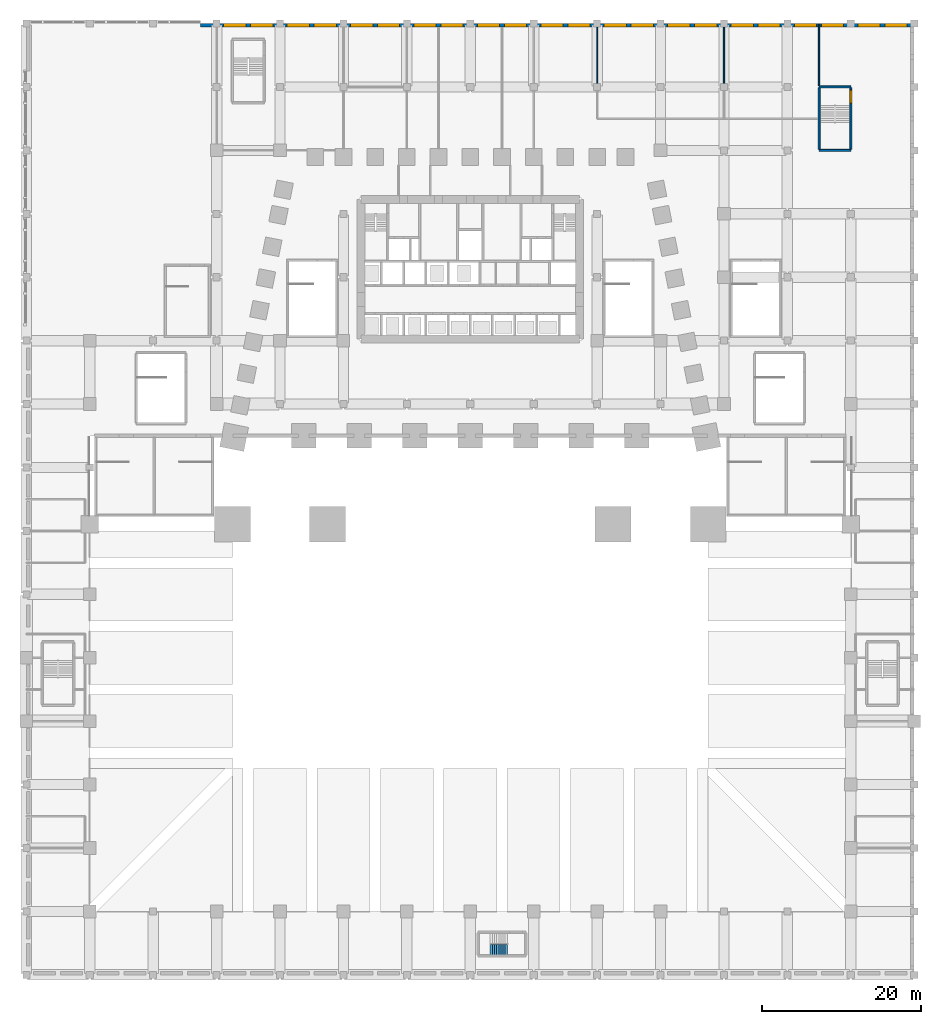
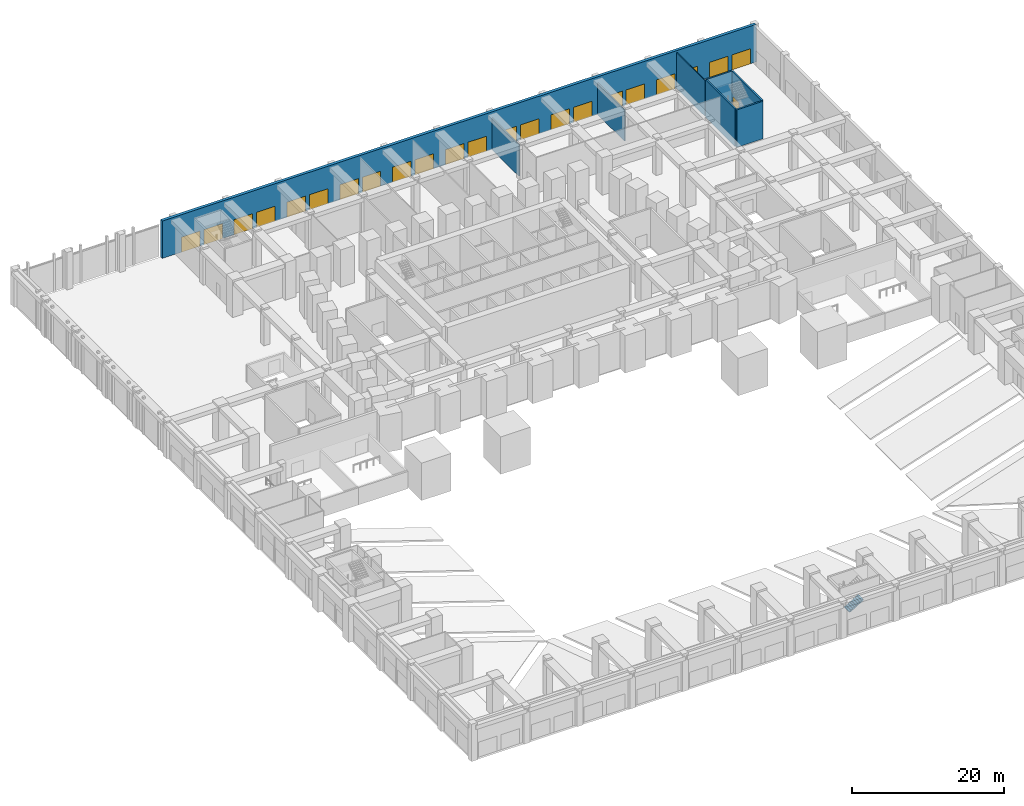
# One storey, part 15 of 28: 23 doors, 8 walls, 1 stair flight, 23 openings, 1 element without a shape of its own.
"""IFC4 building model written with IfcOpenShell, lengths in metres."""

from ifc_helpers import new_model, si_unit, direction, frame, frame_2d, origin, place, context, subcontext, project, spatial, polyline, rectangle, outline, extrude, material, layer, layer_set, type_object, element, fill, aggregate, save


model = new_model("IFC4")

# Units and contexts
model_context = context("Model", 3, precision=1e-05, world=origin(), true_north=direction((0.0, 1.0)))
body_context = subcontext(model_context, "Body", "Model", "MODEL_VIEW")
ifc_project = project(units=[si_unit("LENGTHUNIT", "METRE"), si_unit("AREAUNIT", "SQUARE_METRE"), si_unit("VOLUMEUNIT", "CUBIC_METRE"), si_unit("PLANEANGLEUNIT", "RADIAN"), si_unit("MASSUNIT", "GRAM", prefix="KILO")], contexts=[model_context])

# Site, building, storey
site_placement = place(None, origin())
site = spatial("IfcSite", under=ifc_project, at=site_placement, CompositionType="ELEMENT")
building_placement = place(site_placement, origin())
building = spatial("IfcBuilding", under=site, at=building_placement, Name="Isbrekke Arena Tower", CompositionType="ELEMENT")
storey_placement = place(building_placement, origin())
storey = spatial("IfcBuildingStorey", under=building, at=storey_placement, Name="L00", CompositionType="ELEMENT", Elevation=0.0)

# Wall, openings, doors
ifc_material_1 = material(Name="Pale brick facing on concrete backing wall", Category="masonry")
ifc_layer_1 = layer(ifc_material_1, 0.449951171875)
ifc_layer_set_1 = layer_set([ifc_layer_1], Name="EW1 PODIUM BRICK WALL 450")
wall_type_1 = type_object("IfcWallType", Name="EW1 PODIUM BRICK WALL 450", PredefinedType="SOLIDWALL", material=ifc_layer_set_1)
wall_1_placement = place(storey_placement, frame((56.0, 45.77490234375, 0.0), z_axis=(0.0, 0.0, 1.0), x_axis=(-1.0, 0.0, 0.0)))
wall_1 = element("IfcWall", 1, at=wall_1_placement, inside=storey, type_object=wall_type_1, Name="EW1 podium wall N1 L00", PredefinedType="SOLIDWALL", context=body_context, shape_type="SweptSolid", body=[
    extrude(rectangle(XDim=90.0, YDim=0.449951171875, at=frame_2d((45.0, 0.0))), origin(), (0.0, 0.0, 1.0), 6.0),
])
opening_1_placement = place(wall_1_placement, frame((0.89990234375, 0.0, 0.0)))
opening_1 = element("IfcOpeningElement", 2, at=opening_1_placement, cuts=wall_1, Name="Opening DE1", PredefinedType="OPENING", context=body_context, shape_type="SweptSolid", body=[
    extrude(rectangle(XDim=2.800048828125, YDim=2.39990234375, at=frame_2d((1.39990234375, 1.199951171875))), frame((0.0, 0.23974609375, 0.0), z_axis=(0.0, -1.0, 0.0), x_axis=(1.0, 0.0, 0.0)), (0.0, 0.0, 1.0), 0.479736328125),
])
opening_2_placement = place(wall_1_placement, frame((4.300048828125, 0.0, 0.0)))
opening_2 = element("IfcOpeningElement", 3, at=opening_2_placement, cuts=wall_1, Name="Opening DE1", PredefinedType="OPENING", context=body_context, shape_type="SweptSolid", body=[
    extrude(rectangle(XDim=2.800048828125, YDim=2.39990234375, at=frame_2d((1.39990234375, 1.199951171875))), frame((0.0, 0.23974609375, 0.0), z_axis=(0.0, -1.0, 0.0), x_axis=(1.0, 0.0, 0.0)), (0.0, 0.0, 1.0), 0.479736328125),
])
opening_3_placement = place(wall_1_placement, frame((8.89990234375, 0.0, 0.0)))
opening_3 = element("IfcOpeningElement", 4, at=opening_3_placement, cuts=wall_1, Name="Opening DE1", PredefinedType="OPENING", context=body_context, shape_type="SweptSolid", body=[
    extrude(rectangle(XDim=2.800048828125, YDim=2.39990234375, at=frame_2d((1.39990234375, 1.199951171875))), frame((0.0, 0.23974609375, 0.0), z_axis=(0.0, -1.0, 0.0), x_axis=(1.0, 0.0, 0.0)), (0.0, 0.0, 1.0), 0.479736328125),
])
opening_4_placement = place(wall_1_placement, frame((12.300048828125, 0.0, 0.0)))
opening_4 = element("IfcOpeningElement", 5, at=opening_4_placement, cuts=wall_1, Name="Opening DE1", PredefinedType="OPENING", context=body_context, shape_type="SweptSolid", body=[
    extrude(rectangle(XDim=2.800048828125, YDim=2.39990234375, at=frame_2d((1.39990234375, 1.199951171875))), frame((0.0, 0.23974609375, 0.0), z_axis=(0.0, -1.0, 0.0), x_axis=(1.0, 0.0, 0.0)), (0.0, 0.0, 1.0), 0.479736328125),
])
opening_5_placement = place(wall_1_placement, frame((16.89990234375, 0.0, 0.0)))
opening_5 = element("IfcOpeningElement", 6, at=opening_5_placement, cuts=wall_1, Name="Opening DE1", PredefinedType="OPENING", context=body_context, shape_type="SweptSolid", body=[
    extrude(rectangle(XDim=2.800048828125, YDim=2.39990234375, at=frame_2d((1.39990234375, 1.199951171875))), frame((0.0, 0.23974609375, 0.0), z_axis=(0.0, -1.0, 0.0), x_axis=(1.0, 0.0, 0.0)), (0.0, 0.0, 1.0), 0.479736328125),
])
opening_6_placement = place(wall_1_placement, frame((20.300048828125, 0.0, 0.0)))
opening_6 = element("IfcOpeningElement", 7, at=opening_6_placement, cuts=wall_1, Name="Opening DE1", PredefinedType="OPENING", context=body_context, shape_type="SweptSolid", body=[
    extrude(rectangle(XDim=2.800048828125, YDim=2.39990234375, at=frame_2d((1.39990234375, 1.199951171875))), frame((0.0, 0.23974609375, 0.0), z_axis=(0.0, -1.0, 0.0), x_axis=(1.0, 0.0, 0.0)), (0.0, 0.0, 1.0), 0.479736328125),
])
opening_7_placement = place(wall_1_placement, frame((24.89990234375, 0.0, 0.0)))
opening_7 = element("IfcOpeningElement", 8, at=opening_7_placement, cuts=wall_1, Name="Opening DE1", PredefinedType="OPENING", context=body_context, shape_type="SweptSolid", body=[
    extrude(rectangle(XDim=2.800048828125, YDim=2.39990234375, at=frame_2d((1.39990234375, 1.199951171875))), frame((0.0, 0.23974609375, 0.0), z_axis=(0.0, -1.0, 0.0), x_axis=(1.0, 0.0, 0.0)), (0.0, 0.0, 1.0), 0.479736328125),
])
opening_8_placement = place(wall_1_placement, frame((28.300048828125, 0.0, 0.0)))
opening_8 = element("IfcOpeningElement", 9, at=opening_8_placement, cuts=wall_1, Name="Opening DE1", PredefinedType="OPENING", context=body_context, shape_type="SweptSolid", body=[
    extrude(rectangle(XDim=2.800048828125, YDim=2.39990234375, at=frame_2d((1.39990234375, 1.199951171875))), frame((0.0, 0.23974609375, 0.0), z_axis=(0.0, -1.0, 0.0), x_axis=(1.0, 0.0, 0.0)), (0.0, 0.0, 1.0), 0.479736328125),
])
opening_9_placement = place(wall_1_placement, frame((32.89990234375, 0.0, 0.0)))
opening_9 = element("IfcOpeningElement", 10, at=opening_9_placement, cuts=wall_1, Name="Opening DE1", PredefinedType="OPENING", context=body_context, shape_type="SweptSolid", body=[
    extrude(rectangle(XDim=2.800048828125, YDim=2.39990234375, at=frame_2d((1.39990234375, 1.199951171875))), frame((0.0, 0.23974609375, 0.0), z_axis=(0.0, -1.0, 0.0), x_axis=(1.0, 0.0, 0.0)), (0.0, 0.0, 1.0), 0.479736328125),
])
opening_10_placement = place(wall_1_placement, frame((36.300048828125, 0.0, 0.0)))
opening_10 = element("IfcOpeningElement", 11, at=opening_10_placement, cuts=wall_1, Name="Opening DE1", PredefinedType="OPENING", context=body_context, shape_type="SweptSolid", body=[
    extrude(rectangle(XDim=2.800048828125, YDim=2.39990234375, at=frame_2d((1.39990234375, 1.199951171875))), frame((0.0, 0.23974609375, 0.0), z_axis=(0.0, -1.0, 0.0), x_axis=(1.0, 0.0, 0.0)), (0.0, 0.0, 1.0), 0.479736328125),
])
opening_11_placement = place(wall_1_placement, frame((40.89990234375, 0.0, 0.0)))
opening_11 = element("IfcOpeningElement", 12, at=opening_11_placement, cuts=wall_1, Name="Opening DE1", PredefinedType="OPENING", context=body_context, shape_type="SweptSolid", body=[
    extrude(rectangle(XDim=2.800048828125, YDim=2.39990234375, at=frame_2d((1.39990234375, 1.199951171875))), frame((0.0, 0.23974609375, 0.0), z_axis=(0.0, -1.0, 0.0), x_axis=(1.0, 0.0, 0.0)), (0.0, 0.0, 1.0), 0.479736328125),
])
opening_12_placement = place(wall_1_placement, frame((44.300048828125, 0.0, 0.0)))
opening_12 = element("IfcOpeningElement", 13, at=opening_12_placement, cuts=wall_1, Name="Opening DE1", PredefinedType="OPENING", context=body_context, shape_type="SweptSolid", body=[
    extrude(rectangle(XDim=2.800048828125, YDim=2.39990234375, at=frame_2d((1.39990234375, 1.199951171875))), frame((0.0, 0.23974609375, 0.0), z_axis=(0.0, -1.0, 0.0), x_axis=(1.0, 0.0, 0.0)), (0.0, 0.0, 1.0), 0.479736328125),
])
opening_13_placement = place(wall_1_placement, frame((48.89990234375, 0.0, 0.0)))
opening_13 = element("IfcOpeningElement", 14, at=opening_13_placement, cuts=wall_1, Name="Opening DE1", PredefinedType="OPENING", context=body_context, shape_type="SweptSolid", body=[
    extrude(rectangle(XDim=2.800048828125, YDim=2.39990234375, at=frame_2d((1.39990234375, 1.199951171875))), frame((0.0, 0.23974609375, 0.0), z_axis=(0.0, -1.0, 0.0), x_axis=(1.0, 0.0, 0.0)), (0.0, 0.0, 1.0), 0.479736328125),
])
opening_14_placement = place(wall_1_placement, frame((52.300048828125, 0.0, 0.0)))
opening_14 = element("IfcOpeningElement", 15, at=opening_14_placement, cuts=wall_1, Name="Opening DE1", PredefinedType="OPENING", context=body_context, shape_type="SweptSolid", body=[
    extrude(rectangle(XDim=2.800048828125, YDim=2.39990234375, at=frame_2d((1.39990234375, 1.199951171875))), frame((0.0, 0.23974609375, 0.0), z_axis=(0.0, -1.0, 0.0), x_axis=(1.0, 0.0, 0.0)), (0.0, 0.0, 1.0), 0.479736328125),
])
opening_15_placement = place(wall_1_placement, frame((56.89990234375, 0.0, 0.0)))
opening_15 = element("IfcOpeningElement", 16, at=opening_15_placement, cuts=wall_1, Name="Opening DE1", PredefinedType="OPENING", context=body_context, shape_type="SweptSolid", body=[
    extrude(rectangle(XDim=2.800048828125, YDim=2.39990234375, at=frame_2d((1.39990234375, 1.199951171875))), frame((0.0, 0.23974609375, 0.0), z_axis=(0.0, -1.0, 0.0), x_axis=(1.0, 0.0, 0.0)), (0.0, 0.0, 1.0), 0.479736328125),
])
opening_16_placement = place(wall_1_placement, frame((60.300048828125, 0.0, 0.0)))
opening_16 = element("IfcOpeningElement", 17, at=opening_16_placement, cuts=wall_1, Name="Opening DE1", PredefinedType="OPENING", context=body_context, shape_type="SweptSolid", body=[
    extrude(rectangle(XDim=2.800048828125, YDim=2.39990234375, at=frame_2d((1.39990234375, 1.199951171875))), frame((0.0, 0.23974609375, 0.0), z_axis=(0.0, -1.0, 0.0), x_axis=(1.0, 0.0, 0.0)), (0.0, 0.0, 1.0), 0.479736328125),
])
opening_17_placement = place(wall_1_placement, frame((64.89990234375, 0.0, 0.0)))
opening_17 = element("IfcOpeningElement", 18, at=opening_17_placement, cuts=wall_1, Name="Opening DE1", PredefinedType="OPENING", context=body_context, shape_type="SweptSolid", body=[
    extrude(rectangle(XDim=2.800048828125, YDim=2.39990234375, at=frame_2d((1.39990234375, 1.199951171875))), frame((0.0, 0.23974609375, 0.0), z_axis=(0.0, -1.0, 0.0), x_axis=(1.0, 0.0, 0.0)), (0.0, 0.0, 1.0), 0.479736328125),
])
opening_18_placement = place(wall_1_placement, frame((68.300048828125, 0.0, 0.0)))
opening_18 = element("IfcOpeningElement", 19, at=opening_18_placement, cuts=wall_1, Name="Opening DE1", PredefinedType="OPENING", context=body_context, shape_type="SweptSolid", body=[
    extrude(rectangle(XDim=2.800048828125, YDim=2.39990234375, at=frame_2d((1.39990234375, 1.199951171875))), frame((0.0, 0.23974609375, 0.0), z_axis=(0.0, -1.0, 0.0), x_axis=(1.0, 0.0, 0.0)), (0.0, 0.0, 1.0), 0.479736328125),
])
opening_19_placement = place(wall_1_placement, frame((72.89990234375, 0.0, 0.0)))
opening_19 = element("IfcOpeningElement", 20, at=opening_19_placement, cuts=wall_1, Name="Opening DE1", PredefinedType="OPENING", context=body_context, shape_type="SweptSolid", body=[
    extrude(rectangle(XDim=2.800048828125, YDim=2.39990234375, at=frame_2d((1.39990234375, 1.199951171875))), frame((0.0, 0.23974609375, 0.0), z_axis=(0.0, -1.0, 0.0), x_axis=(1.0, 0.0, 0.0)), (0.0, 0.0, 1.0), 0.479736328125),
])
opening_20_placement = place(wall_1_placement, frame((76.300048828125, 0.0, 0.0)))
opening_20 = element("IfcOpeningElement", 21, at=opening_20_placement, cuts=wall_1, Name="Opening DE1", PredefinedType="OPENING", context=body_context, shape_type="SweptSolid", body=[
    extrude(rectangle(XDim=2.800048828125, YDim=2.39990234375, at=frame_2d((1.39990234375, 1.199951171875))), frame((0.0, 0.23974609375, 0.0), z_axis=(0.0, -1.0, 0.0), x_axis=(1.0, 0.0, 0.0)), (0.0, 0.0, 1.0), 0.479736328125),
])
opening_21_placement = place(wall_1_placement, frame((80.89990234375, 0.0, 0.0)))
opening_21 = element("IfcOpeningElement", 22, at=opening_21_placement, cuts=wall_1, Name="Opening DE1", PredefinedType="OPENING", context=body_context, shape_type="SweptSolid", body=[
    extrude(rectangle(XDim=2.800048828125, YDim=2.39990234375, at=frame_2d((1.39990234375, 1.199951171875))), frame((0.0, 0.23974609375, 0.0), z_axis=(0.0, -1.0, 0.0), x_axis=(1.0, 0.0, 0.0)), (0.0, 0.0, 1.0), 0.479736328125),
])
opening_22_placement = place(wall_1_placement, frame((84.300048828125, 0.0, 0.0)))
opening_22 = element("IfcOpeningElement", 23, at=opening_22_placement, cuts=wall_1, Name="Opening DE1", PredefinedType="OPENING", context=body_context, shape_type="SweptSolid", body=[
    extrude(rectangle(XDim=2.800048828125, YDim=2.39990234375, at=frame_2d((1.39990234375, 1.199951171875))), frame((0.0, 0.23974609375, 0.0), z_axis=(0.0, -1.0, 0.0), x_axis=(1.0, 0.0, 0.0)), (0.0, 0.0, 1.0), 0.479736328125),
])
ifc_material_2 = material(Name="Steel-framed glazed double door", Category="steel")
door_type_1 = type_object("IfcDoorType", Name="DE1 EXIT DOOR 2800 x 2400", OperationType="DOUBLE_DOOR_SINGLE_SWING", PredefinedType="DOOR", material=ifc_material_2)
door_1_placement = place(opening_1_placement, frame((2.800048828125, 0.0, 0.0), z_axis=(0.0, 0.0, 1.0), x_axis=(-1.0, 0.0, 0.0)))
door_1 = element("IfcDoor", 24, at=door_1_placement, inside=storey, type_object=door_type_1, Name="DE1 exit door N1-1a", OperationType="DOUBLE_DOOR_SINGLE_SWING", OverallHeight=2.39990234375, OverallWidth=2.800048828125, PredefinedType="DOOR", context=body_context, shape_type="SweptSolid", body=[
    extrude(rectangle(XDim=2.800048828125, YDim=2.39990234375, at=frame_2d((1.39990234375, 1.199951171875))), frame((0.0, 0.224609375, 0.0), z_axis=(0.0, -1.0, 0.0), x_axis=(1.0, 0.0, 0.0)), (0.0, 0.0, 1.0), 0.449462890625),
])
fill(opening_1, door_1)
door_2_placement = place(opening_2_placement, frame((2.800048828125, 0.0, 0.0), z_axis=(0.0, 0.0, 1.0), x_axis=(-1.0, 0.0, 0.0)))
door_2 = element("IfcDoor", 25, at=door_2_placement, inside=storey, type_object=door_type_1, Name="DE1 exit door N1-1b", OperationType="DOUBLE_DOOR_SINGLE_SWING", OverallHeight=2.39990234375, OverallWidth=2.800048828125, PredefinedType="DOOR", context=body_context, shape_type="SweptSolid", body=[
    extrude(rectangle(XDim=2.800048828125, YDim=2.39990234375, at=frame_2d((1.39990234375, 1.199951171875))), frame((0.0, 0.224609375, 0.0), z_axis=(0.0, -1.0, 0.0), x_axis=(1.0, 0.0, 0.0)), (0.0, 0.0, 1.0), 0.449462890625),
])
fill(opening_2, door_2)
door_3_placement = place(opening_3_placement, frame((2.800048828125, 0.0, 0.0), z_axis=(0.0, 0.0, 1.0), x_axis=(-1.0, 0.0, 0.0)))
door_3 = element("IfcDoor", 26, at=door_3_placement, inside=storey, type_object=door_type_1, Name="DE1 exit door N1-2a", OperationType="DOUBLE_DOOR_SINGLE_SWING", OverallHeight=2.39990234375, OverallWidth=2.800048828125, PredefinedType="DOOR", context=body_context, shape_type="SweptSolid", body=[
    extrude(rectangle(XDim=2.800048828125, YDim=2.39990234375, at=frame_2d((1.39990234375, 1.199951171875))), frame((0.0, 0.224609375, 0.0), z_axis=(0.0, -1.0, 0.0), x_axis=(1.0, 0.0, 0.0)), (0.0, 0.0, 1.0), 0.449462890625),
])
fill(opening_3, door_3)
door_4_placement = place(opening_4_placement, frame((2.800048828125, 0.0, 0.0), z_axis=(0.0, 0.0, 1.0), x_axis=(-1.0, 0.0, 0.0)))
door_4 = element("IfcDoor", 27, at=door_4_placement, inside=storey, type_object=door_type_1, Name="DE1 exit door N1-2b", OperationType="DOUBLE_DOOR_SINGLE_SWING", OverallHeight=2.39990234375, OverallWidth=2.800048828125, PredefinedType="DOOR", context=body_context, shape_type="SweptSolid", body=[
    extrude(rectangle(XDim=2.800048828125, YDim=2.39990234375, at=frame_2d((1.39990234375, 1.199951171875))), frame((0.0, 0.224609375, 0.0), z_axis=(0.0, -1.0, 0.0), x_axis=(1.0, 0.0, 0.0)), (0.0, 0.0, 1.0), 0.449462890625),
])
fill(opening_4, door_4)
door_5_placement = place(opening_5_placement, frame((2.800048828125, 0.0, 0.0), z_axis=(0.0, 0.0, 1.0), x_axis=(-1.0, 0.0, 0.0)))
door_5 = element("IfcDoor", 28, at=door_5_placement, inside=storey, type_object=door_type_1, Name="DE1 exit door N1-3a", OperationType="DOUBLE_DOOR_SINGLE_SWING", OverallHeight=2.39990234375, OverallWidth=2.800048828125, PredefinedType="DOOR", context=body_context, shape_type="SweptSolid", body=[
    extrude(rectangle(XDim=2.800048828125, YDim=2.39990234375, at=frame_2d((1.39990234375, 1.199951171875))), frame((0.0, 0.224609375, 0.0), z_axis=(0.0, -1.0, 0.0), x_axis=(1.0, 0.0, 0.0)), (0.0, 0.0, 1.0), 0.449462890625),
])
fill(opening_5, door_5)
door_6_placement = place(opening_6_placement, frame((2.800048828125, 0.0, 0.0), z_axis=(0.0, 0.0, 1.0), x_axis=(-1.0, 0.0, 0.0)))
door_6 = element("IfcDoor", 29, at=door_6_placement, inside=storey, type_object=door_type_1, Name="DE1 exit door N1-3b", OperationType="DOUBLE_DOOR_SINGLE_SWING", OverallHeight=2.39990234375, OverallWidth=2.800048828125, PredefinedType="DOOR", context=body_context, shape_type="SweptSolid", body=[
    extrude(rectangle(XDim=2.800048828125, YDim=2.39990234375, at=frame_2d((1.39990234375, 1.199951171875))), frame((0.0, 0.224609375, 0.0), z_axis=(0.0, -1.0, 0.0), x_axis=(1.0, 0.0, 0.0)), (0.0, 0.0, 1.0), 0.449462890625),
])
fill(opening_6, door_6)
door_7_placement = place(opening_7_placement, frame((2.800048828125, 0.0, 0.0), z_axis=(0.0, 0.0, 1.0), x_axis=(-1.0, 0.0, 0.0)))
door_7 = element("IfcDoor", 30, at=door_7_placement, inside=storey, type_object=door_type_1, Name="DE1 exit door N1-4a", OperationType="DOUBLE_DOOR_SINGLE_SWING", OverallHeight=2.39990234375, OverallWidth=2.800048828125, PredefinedType="DOOR", context=body_context, shape_type="SweptSolid", body=[
    extrude(rectangle(XDim=2.800048828125, YDim=2.39990234375, at=frame_2d((1.39990234375, 1.199951171875))), frame((0.0, 0.224609375, 0.0), z_axis=(0.0, -1.0, 0.0), x_axis=(1.0, 0.0, 0.0)), (0.0, 0.0, 1.0), 0.449462890625),
])
fill(opening_7, door_7)
door_8_placement = place(opening_8_placement, frame((2.800048828125, 0.0, 0.0), z_axis=(0.0, 0.0, 1.0), x_axis=(-1.0, 0.0, 0.0)))
door_8 = element("IfcDoor", 31, at=door_8_placement, inside=storey, type_object=door_type_1, Name="DE1 exit door N1-4b", OperationType="DOUBLE_DOOR_SINGLE_SWING", OverallHeight=2.39990234375, OverallWidth=2.800048828125, PredefinedType="DOOR", context=body_context, shape_type="SweptSolid", body=[
    extrude(rectangle(XDim=2.800048828125, YDim=2.39990234375, at=frame_2d((1.39990234375, 1.199951171875))), frame((0.0, 0.224609375, 0.0), z_axis=(0.0, -1.0, 0.0), x_axis=(1.0, 0.0, 0.0)), (0.0, 0.0, 1.0), 0.449462890625),
])
fill(opening_8, door_8)
door_9_placement = place(opening_9_placement, frame((2.800048828125, 0.0, 0.0), z_axis=(0.0, 0.0, 1.0), x_axis=(-1.0, 0.0, 0.0)))
door_9 = element("IfcDoor", 32, at=door_9_placement, inside=storey, type_object=door_type_1, Name="DE1 exit door N1-5a", OperationType="DOUBLE_DOOR_SINGLE_SWING", OverallHeight=2.39990234375, OverallWidth=2.800048828125, PredefinedType="DOOR", context=body_context, shape_type="SweptSolid", body=[
    extrude(rectangle(XDim=2.800048828125, YDim=2.39990234375, at=frame_2d((1.39990234375, 1.199951171875))), frame((0.0, 0.224609375, 0.0), z_axis=(0.0, -1.0, 0.0), x_axis=(1.0, 0.0, 0.0)), (0.0, 0.0, 1.0), 0.449462890625),
])
fill(opening_9, door_9)
door_10_placement = place(opening_10_placement, frame((2.800048828125, 0.0, 0.0), z_axis=(0.0, 0.0, 1.0), x_axis=(-1.0, 0.0, 0.0)))
door_10 = element("IfcDoor", 33, at=door_10_placement, inside=storey, type_object=door_type_1, Name="DE1 exit door N1-5b", OperationType="DOUBLE_DOOR_SINGLE_SWING", OverallHeight=2.39990234375, OverallWidth=2.800048828125, PredefinedType="DOOR", context=body_context, shape_type="SweptSolid", body=[
    extrude(rectangle(XDim=2.800048828125, YDim=2.39990234375, at=frame_2d((1.39990234375, 1.199951171875))), frame((0.0, 0.224609375, 0.0), z_axis=(0.0, -1.0, 0.0), x_axis=(1.0, 0.0, 0.0)), (0.0, 0.0, 1.0), 0.449462890625),
])
fill(opening_10, door_10)
door_11_placement = place(opening_11_placement, frame((2.800048828125, 0.0, 0.0), z_axis=(0.0, 0.0, 1.0), x_axis=(-1.0, 0.0, 0.0)))
door_11 = element("IfcDoor", 34, at=door_11_placement, inside=storey, type_object=door_type_1, Name="DE1 exit door N1-6a", OperationType="DOUBLE_DOOR_SINGLE_SWING", OverallHeight=2.39990234375, OverallWidth=2.800048828125, PredefinedType="DOOR", context=body_context, shape_type="SweptSolid", body=[
    extrude(rectangle(XDim=2.800048828125, YDim=2.39990234375, at=frame_2d((1.39990234375, 1.199951171875))), frame((0.0, 0.224609375, 0.0), z_axis=(0.0, -1.0, 0.0), x_axis=(1.0, 0.0, 0.0)), (0.0, 0.0, 1.0), 0.449462890625),
])
fill(opening_11, door_11)
door_12_placement = place(opening_12_placement, frame((2.800048828125, 0.0, 0.0), z_axis=(0.0, 0.0, 1.0), x_axis=(-1.0, 0.0, 0.0)))
door_12 = element("IfcDoor", 35, at=door_12_placement, inside=storey, type_object=door_type_1, Name="DE1 exit door N1-6b", OperationType="DOUBLE_DOOR_SINGLE_SWING", OverallHeight=2.39990234375, OverallWidth=2.800048828125, PredefinedType="DOOR", context=body_context, shape_type="SweptSolid", body=[
    extrude(rectangle(XDim=2.800048828125, YDim=2.39990234375, at=frame_2d((1.39990234375, 1.199951171875))), frame((0.0, 0.224609375, 0.0), z_axis=(0.0, -1.0, 0.0), x_axis=(1.0, 0.0, 0.0)), (0.0, 0.0, 1.0), 0.449462890625),
])
fill(opening_12, door_12)
door_13_placement = place(opening_13_placement, frame((2.800048828125, 0.0, 0.0), z_axis=(0.0, 0.0, 1.0), x_axis=(-1.0, 0.0, 0.0)))
door_13 = element("IfcDoor", 36, at=door_13_placement, inside=storey, type_object=door_type_1, Name="DE1 exit door N1-7a", OperationType="DOUBLE_DOOR_SINGLE_SWING", OverallHeight=2.39990234375, OverallWidth=2.800048828125, PredefinedType="DOOR", context=body_context, shape_type="SweptSolid", body=[
    extrude(rectangle(XDim=2.800048828125, YDim=2.39990234375, at=frame_2d((1.39990234375, 1.199951171875))), frame((0.0, 0.224609375, 0.0), z_axis=(0.0, -1.0, 0.0), x_axis=(1.0, 0.0, 0.0)), (0.0, 0.0, 1.0), 0.449462890625),
])
fill(opening_13, door_13)
door_14_placement = place(opening_14_placement, frame((2.800048828125, 0.0, 0.0), z_axis=(0.0, 0.0, 1.0), x_axis=(-1.0, 0.0, 0.0)))
door_14 = element("IfcDoor", 37, at=door_14_placement, inside=storey, type_object=door_type_1, Name="DE1 exit door N1-7b", OperationType="DOUBLE_DOOR_SINGLE_SWING", OverallHeight=2.39990234375, OverallWidth=2.800048828125, PredefinedType="DOOR", context=body_context, shape_type="SweptSolid", body=[
    extrude(rectangle(XDim=2.800048828125, YDim=2.39990234375, at=frame_2d((1.39990234375, 1.199951171875))), frame((0.0, 0.224609375, 0.0), z_axis=(0.0, -1.0, 0.0), x_axis=(1.0, 0.0, 0.0)), (0.0, 0.0, 1.0), 0.449462890625),
])
fill(opening_14, door_14)
door_15_placement = place(opening_15_placement, frame((2.800048828125, 0.0, 0.0), z_axis=(0.0, 0.0, 1.0), x_axis=(-1.0, 0.0, 0.0)))
door_15 = element("IfcDoor", 38, at=door_15_placement, inside=storey, type_object=door_type_1, Name="DE1 exit door N1-8a", OperationType="DOUBLE_DOOR_SINGLE_SWING", OverallHeight=2.39990234375, OverallWidth=2.800048828125, PredefinedType="DOOR", context=body_context, shape_type="SweptSolid", body=[
    extrude(rectangle(XDim=2.800048828125, YDim=2.39990234375, at=frame_2d((1.39990234375, 1.199951171875))), frame((0.0, 0.224609375, 0.0), z_axis=(0.0, -1.0, 0.0), x_axis=(1.0, 0.0, 0.0)), (0.0, 0.0, 1.0), 0.449462890625),
])
fill(opening_15, door_15)
door_16_placement = place(opening_16_placement, frame((2.800048828125, 0.0, 0.0), z_axis=(0.0, 0.0, 1.0), x_axis=(-1.0, 0.0, 0.0)))
door_16 = element("IfcDoor", 39, at=door_16_placement, inside=storey, type_object=door_type_1, Name="DE1 exit door N1-8b", OperationType="DOUBLE_DOOR_SINGLE_SWING", OverallHeight=2.39990234375, OverallWidth=2.800048828125, PredefinedType="DOOR", context=body_context, shape_type="SweptSolid", body=[
    extrude(rectangle(XDim=2.800048828125, YDim=2.39990234375, at=frame_2d((1.39990234375, 1.199951171875))), frame((0.0, 0.224609375, 0.0), z_axis=(0.0, -1.0, 0.0), x_axis=(1.0, 0.0, 0.0)), (0.0, 0.0, 1.0), 0.449462890625),
])
fill(opening_16, door_16)
door_17_placement = place(opening_17_placement, frame((2.800048828125, 0.0, 0.0), z_axis=(0.0, 0.0, 1.0), x_axis=(-1.0, 0.0, 0.0)))
door_17 = element("IfcDoor", 40, at=door_17_placement, inside=storey, type_object=door_type_1, Name="DE1 exit door N1-9a", OperationType="DOUBLE_DOOR_SINGLE_SWING", OverallHeight=2.39990234375, OverallWidth=2.800048828125, PredefinedType="DOOR", context=body_context, shape_type="SweptSolid", body=[
    extrude(rectangle(XDim=2.800048828125, YDim=2.39990234375, at=frame_2d((1.39990234375, 1.199951171875))), frame((0.0, 0.224609375, 0.0), z_axis=(0.0, -1.0, 0.0), x_axis=(1.0, 0.0, 0.0)), (0.0, 0.0, 1.0), 0.449462890625),
])
fill(opening_17, door_17)
door_18_placement = place(opening_18_placement, frame((2.800048828125, 0.0, 0.0), z_axis=(0.0, 0.0, 1.0), x_axis=(-1.0, 0.0, 0.0)))
door_18 = element("IfcDoor", 41, at=door_18_placement, inside=storey, type_object=door_type_1, Name="DE1 exit door N1-9b", OperationType="DOUBLE_DOOR_SINGLE_SWING", OverallHeight=2.39990234375, OverallWidth=2.800048828125, PredefinedType="DOOR", context=body_context, shape_type="SweptSolid", body=[
    extrude(rectangle(XDim=2.800048828125, YDim=2.39990234375, at=frame_2d((1.39990234375, 1.199951171875))), frame((0.0, 0.224609375, 0.0), z_axis=(0.0, -1.0, 0.0), x_axis=(1.0, 0.0, 0.0)), (0.0, 0.0, 1.0), 0.449462890625),
])
fill(opening_18, door_18)
door_19_placement = place(opening_19_placement, frame((2.800048828125, 0.0, 0.0), z_axis=(0.0, 0.0, 1.0), x_axis=(-1.0, 0.0, 0.0)))
door_19 = element("IfcDoor", 42, at=door_19_placement, inside=storey, type_object=door_type_1, Name="DE1 exit door N1-10a", OperationType="DOUBLE_DOOR_SINGLE_SWING", OverallHeight=2.39990234375, OverallWidth=2.800048828125, PredefinedType="DOOR", context=body_context, shape_type="SweptSolid", body=[
    extrude(rectangle(XDim=2.800048828125, YDim=2.39990234375, at=frame_2d((1.39990234375, 1.199951171875))), frame((0.0, 0.224609375, 0.0), z_axis=(0.0, -1.0, 0.0), x_axis=(1.0, 0.0, 0.0)), (0.0, 0.0, 1.0), 0.449462890625),
])
fill(opening_19, door_19)
door_20_placement = place(opening_20_placement, frame((2.800048828125, 0.0, 0.0), z_axis=(0.0, 0.0, 1.0), x_axis=(-1.0, 0.0, 0.0)))
door_20 = element("IfcDoor", 43, at=door_20_placement, inside=storey, type_object=door_type_1, Name="DE1 exit door N1-10b", OperationType="DOUBLE_DOOR_SINGLE_SWING", OverallHeight=2.39990234375, OverallWidth=2.800048828125, PredefinedType="DOOR", context=body_context, shape_type="SweptSolid", body=[
    extrude(rectangle(XDim=2.800048828125, YDim=2.39990234375, at=frame_2d((1.39990234375, 1.199951171875))), frame((0.0, 0.224609375, 0.0), z_axis=(0.0, -1.0, 0.0), x_axis=(1.0, 0.0, 0.0)), (0.0, 0.0, 1.0), 0.449462890625),
])
fill(opening_20, door_20)
door_21_placement = place(opening_21_placement, frame((2.800048828125, 0.0, 0.0), z_axis=(0.0, 0.0, 1.0), x_axis=(-1.0, 0.0, 0.0)))
door_21 = element("IfcDoor", 44, at=door_21_placement, inside=storey, type_object=door_type_1, Name="DE1 exit door N1-11a", OperationType="DOUBLE_DOOR_SINGLE_SWING", OverallHeight=2.39990234375, OverallWidth=2.800048828125, PredefinedType="DOOR", context=body_context, shape_type="SweptSolid", body=[
    extrude(rectangle(XDim=2.800048828125, YDim=2.39990234375, at=frame_2d((1.39990234375, 1.199951171875))), frame((0.0, 0.224609375, 0.0), z_axis=(0.0, -1.0, 0.0), x_axis=(1.0, 0.0, 0.0)), (0.0, 0.0, 1.0), 0.449462890625),
])
fill(opening_21, door_21)
door_22_placement = place(opening_22_placement, frame((2.800048828125, 0.0, 0.0), z_axis=(0.0, 0.0, 1.0), x_axis=(-1.0, 0.0, 0.0)))
door_22 = element("IfcDoor", 45, at=door_22_placement, inside=storey, type_object=door_type_1, Name="DE1 exit door N1-11b", OperationType="DOUBLE_DOOR_SINGLE_SWING", OverallHeight=2.39990234375, OverallWidth=2.800048828125, PredefinedType="DOOR", context=body_context, shape_type="SweptSolid", body=[
    extrude(rectangle(XDim=2.800048828125, YDim=2.39990234375, at=frame_2d((1.39990234375, 1.199951171875))), frame((0.0, 0.224609375, 0.0), z_axis=(0.0, -1.0, 0.0), x_axis=(1.0, 0.0, 0.0)), (0.0, 0.0, 1.0), 0.449462890625),
])
fill(opening_22, door_22)

# Walls
ifc_material_3 = material(Name="Gypsum board partition on steel studs", Category="steel")
ifc_layer_2 = layer(ifc_material_3, 0.14990234375)
ifc_layer_set_2 = layer_set([ifc_layer_2], Name="IW1 PARTITION 150")
wall_type_2 = type_object("IfcWallType", Name="IW1 PARTITION 150", PredefinedType="PARTITIONING", material=ifc_layer_set_2)
for number, where, z_axis, x_axis, name in (
    (46, (16.0, 38.4599609375, 0.0), (0.0, 0.0, 1.0), (0.0, 1.0, 0.0), "IW1 partition L00"),
    (47, (32.0, 38.4599609375, 0.0), (0.0, 0.0, 1.0), (0.0, 1.0, 0.0), "IW1 partition L00"),
):
    element("IfcWall", number, at=place(storey_placement, frame(where, z_axis=z_axis, x_axis=x_axis)), inside=storey, type_object=wall_type_2, Name=name, PredefinedType="PARTITIONING", context=body_context, shape_type="SweptSolid", body=[
        extrude(rectangle(XDim=7.080078125, YDim=0.14990234375, at=frame_2d((3.5400390625, 0.0))), origin(), (0.0, 0.0, 1.0), 5.050048828125),
    ])
wall_2_placement = place(storey_placement, frame((44.0, 38.125, 0.0), z_axis=(0.0, 0.0, 1.0), x_axis=(0.0, 1.0, 0.0)))
element("IfcWall", 48, at=wall_2_placement, inside=storey, type_object=wall_type_2, Name="IW1 partition L00", PredefinedType="PARTITIONING", context=body_context, shape_type="SweptSolid", body=[
    extrude(rectangle(XDim=7.875, YDim=0.14990234375, at=frame_2d((3.9375, 0.0))), origin(), (0.0, 0.0, 1.0), 5.699951171875),
])
ifc_material_4 = material(Name="Concrete B45 (C45/55)", Category="concrete")
ifc_layer_3 = layer(ifc_material_4, 0.25)
ifc_layer_set_3 = layer_set([ifc_layer_3], Name="SW1 STAIR ENCLOSURE WALL 250")
wall_type_3 = type_object("IfcWallType", Name="SW1 STAIR ENCLOSURE WALL 250", PredefinedType="SOLIDWALL", material=ifc_layer_set_3)
for number, where, z_axis, x_axis, name in (
    (49, (44.0, 30.0, 0.0), (0.0, 0.0, 1.0), (1.0, 0.0, 0.0), "SW1 stair wall P1 S L00"),
    (50, (48.0, 38.0, 0.0), (0.0, 0.0, 1.0), (-1.0, 0.0, 0.0), "SW1 stair wall P1 N L00"),
):
    element("IfcWall", number, at=place(storey_placement, frame(where, z_axis=z_axis, x_axis=x_axis)), inside=storey, type_object=wall_type_3, Name=name, PredefinedType="SOLIDWALL", context=body_context, shape_type="SweptSolid", body=[
        extrude(rectangle(XDim=4.0, YDim=0.25, at=frame_2d((2.0, 0.0))), origin(), (0.0, 0.0, 1.0), 6.0),
    ])

# Wall, opening, door
wall_3_placement = place(storey_placement, frame((48.0, 30.125, 0.0), z_axis=(0.0, 0.0, 1.0), x_axis=(0.0, 1.0, 0.0)))
wall_3 = element("IfcWall", 51, at=wall_3_placement, inside=storey, type_object=wall_type_3, Name="SW1 stair wall P1 E L00", PredefinedType="SOLIDWALL", context=body_context, shape_type="SweptSolid", body=[
    extrude(rectangle(XDim=7.75, YDim=0.25, at=frame_2d((3.875, 0.0))), origin(), (0.0, 0.0, 1.0), 6.0),
])
opening_23_placement = place(wall_3_placement, frame((5.85009765625, 0.0, 0.0)))
opening_23 = element("IfcOpeningElement", 52, at=opening_23_placement, cuts=wall_3, Name="Opening D7", PredefinedType="OPENING", context=body_context, shape_type="SweptSolid", body=[
    extrude(rectangle(XDim=1.60009765625, YDim=2.10009765625, at=frame_2d((0.800048828125, 1.050048828125))), frame((0.0, 0.139892578125, 0.0), z_axis=(0.0, -1.0, 0.0), x_axis=(1.0, 0.0, 0.0)), (0.0, 0.0, 1.0), 0.27978515625),
])
ifc_material_5 = material(Name="Steel fire door", Category="steel")
door_type_2 = type_object("IfcDoorType", Name="D7 PODIUM STAIR DOOR 1600 x 2100", OperationType="DOUBLE_DOOR_SINGLE_SWING", PredefinedType="DOOR", material=ifc_material_5)
door_23_placement = place(opening_23_placement, origin())
door_23 = element("IfcDoor", 53, at=door_23_placement, inside=storey, type_object=door_type_2, Name="D7 stair door P1 L00", OperationType="DOUBLE_DOOR_SINGLE_SWING", OverallHeight=2.10009765625, OverallWidth=1.60009765625, PredefinedType="DOOR", context=body_context, shape_type="SweptSolid", body=[
    extrude(rectangle(XDim=1.60009765625, YDim=2.10009765625, at=frame_2d((0.800048828125, 1.050048828125))), frame((0.0, 0.124755859375, 0.0), z_axis=(0.0, -1.0, 0.0), x_axis=(1.0, 0.0, 0.0)), (0.0, 0.0, 1.0), 0.24951171875),
])
fill(opening_23, door_23)

# Wall
wall_4_placement = place(storey_placement, frame((44.0, 37.875, 0.0), z_axis=(0.0, 0.0, 1.0), x_axis=(0.0, -1.0, 0.0)))
element("IfcWall", 54, at=wall_4_placement, inside=storey, type_object=wall_type_3, Name="SW1 stair wall P1 W L00", PredefinedType="SOLIDWALL", context=body_context, shape_type="SweptSolid", body=[
    extrude(rectangle(XDim=7.75, YDim=0.25, at=frame_2d((3.875, 0.0))), origin(), (0.0, 0.0, 1.0), 6.0),
])

# Stair, stair flight
ifc_material_6 = material(Name="Concrete B45 (C45/55) precast", Category="concrete")
stair_type = type_object("IfcStairType", Name="ST60 STAIR 1300 WIDE, 36 RISERS 167", PredefinedType="HALF_TURN_STAIR", material=ifc_material_6)
stair_placement = place(storey_placement, origin())
stair = element("IfcStair", 55, at=stair_placement, inside=storey, type_object=stair_type, Name="P5 stair L00", PredefinedType="HALF_TURN_STAIR")
ifc_material_7 = material(Name="Concrete B45 (C45/55) precast", Category="concrete")
stair_flight_type = type_object("IfcStairFlightType", Name="SF 1300 FLIGHT", PredefinedType="STRAIGHT", material=ifc_material_7)
stair_flight_placement = place(storey_placement, frame((2.514892578125, -70.824951171875, 1.5), z_axis=(0.0, 0.0, 1.0), x_axis=(1.0, 0.0, 0.0)))
stair_flight = element("IfcStairFlight", 56, at=stair_flight_placement, type_object=stair_flight_type, Name="P5 flight 2", NumberOfRisers=9, NumberOfTreads=8, PredefinedType="STRAIGHT", RiserHeight=0.166666667, TreadLength=0.27, context=body_context, shape_type="SweptSolid", body=[
    extrude(outline(polyline([(0.0, 0.0), (0.0, 0.166748046875), (0.27001953125, 0.166748046875), (0.27001953125, 0.333251953125), (0.5400390625, 0.333251953125), (0.5400390625, 0.5), (0.81005859375, 0.5), (0.81005859375, 0.666748046875), (1.080078125, 0.666748046875), (1.080078125, 0.833251953125), (1.35009765625, 0.833251953125), (1.35009765625, 1.0), (1.6201171875, 1.0), (1.6201171875, 1.166748046875), (1.889892578125, 1.166748046875), (1.889892578125, 1.333251953125), (2.159912109375, 1.333251953125), (2.159912109375, 1.5), (2.159912109375, 1.1572265625), (0.285400390625, 0.0), (0.0, 0.0)])), frame((0.0, 0.64990234375, 0.0), z_axis=(0.0, -1.0, 0.0), x_axis=(1.0, 0.0, 0.0)), (0.0, 0.0, 1.0), 1.300048828125),
])
aggregate(stair, [stair_flight])

save(model, "model.ifc")
